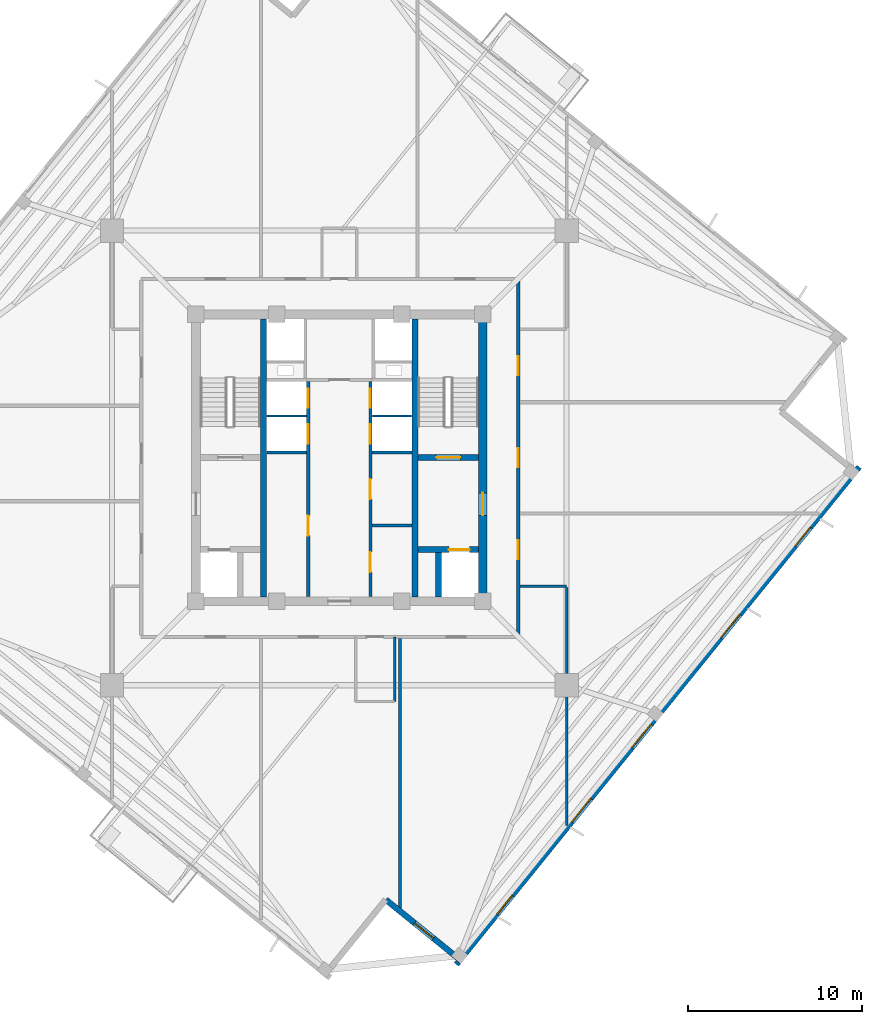
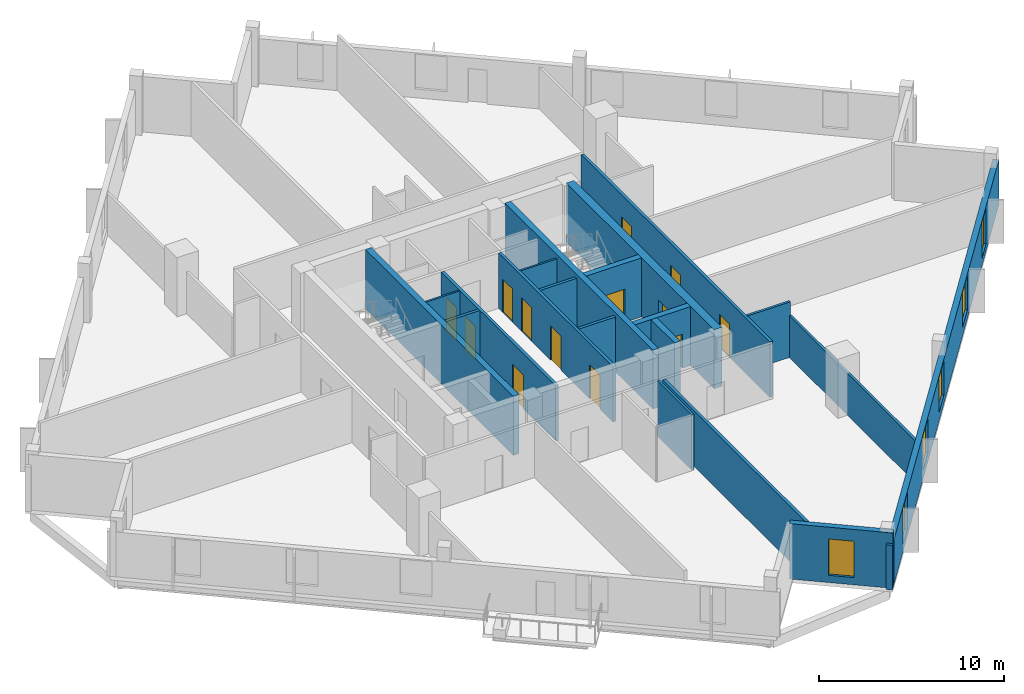
# One storey, part 4 of 10: 20 walls, 13 doors, 6 windows, 19 openings.
"""IFC4 building model written with IfcOpenShell, lengths in metres."""

import ifcopenshell
import ifcopenshell.guid

model = None  # the IFC model being written
_history = None  # IfcOwnerHistory: only IFC2X3 demands one
_inside = {}  # id of a spatial element -> (the spatial element, [elements in it])
_under = {}  # id of a project, library or spatial element -> (it, [spatial elements below it])
_declared = {}  # id of a project -> (the project, [libraries it declares])
_typed = {}  # id of a type object -> (the type object, [elements of that type])
_made_of = {}  # id of a material, layer set ... -> (it, [elements and type objects made of it])


def new_model(schema):
    """Start an empty IFC model of exactly this schema.

    Asked for "IFC4X3", IfcOpenShell would pick the latest addendum, in which some entities
    have other attributes; the version numbers below select the first issue.
    IFC2X3 requires an IfcOwnerHistory on every rooted entity: one is made here for all.
    """
    global model, _history
    if schema == "IFC4X3":
        model = ifcopenshell.file(schema_version=(4, 3, 0, 0))
    else:
        model = ifcopenshell.file(schema=schema)
    _inside.clear()
    _under.clear()
    _declared.clear()
    _typed.clear()
    _made_of.clear()
    _history = None
    if model.schema == "IFC2X3":
        org = make("IfcOrganization", Name="unknown")
        user = make(
            "IfcPersonAndOrganization",
            ThePerson=make("IfcPerson", FamilyName="unknown"),
            TheOrganization=org,
        )
        app = make(
            "IfcApplication",
            ApplicationDeveloper=org,
            Version="unknown",
            ApplicationFullName="unknown",
            ApplicationIdentifier="unknown",
        )
        _history = make(
            "IfcOwnerHistory",
            OwningUser=user,
            OwningApplication=app,
            ChangeAction="ADDED",
            CreationDate=0,
        )
    return model


def make(cls, **values):
    """One entity of the class cls with the attributes given. An attribute that is None is left unset."""
    return model.create_entity(
        cls, **{name: value for name, value in values.items() if value is not None}
    )


def rooted(cls, **values):
    """An entity with a GlobalId (a new one), such as an element, a storey or a relation."""
    return make(cls, GlobalId=ifcopenshell.guid.new(), OwnerHistory=_history, **values)


def si_unit(unit_type, name, prefix=None):
    """IfcSIUnit, for example si_unit("LENGTHUNIT", "METRE", prefix="MILLI")."""
    return make("IfcSIUnit", UnitType=unit_type, Prefix=prefix, Name=name)


def assignment(units):
    """IfcUnitAssignment: the units of a project."""
    return None if units is None else make("IfcUnitAssignment", Units=units)


def point(xyz):
    """IfcCartesianPoint."""
    return None if xyz is None else make("IfcCartesianPoint", Coordinates=xyz)


def direction(xyz):
    """IfcDirection."""
    return None if xyz is None else make("IfcDirection", DirectionRatios=xyz)


def frame(location, z_axis=None, x_axis=None):
    """IfcAxis2Placement3D, a coordinate frame: its origin and axes. An axis left out is left unset."""
    return make(
        "IfcAxis2Placement3D",
        Location=point(location),
        Axis=direction(z_axis),
        RefDirection=direction(x_axis),
    )


def frame_2d(location, x_axis=None):
    """IfcAxis2Placement2D, a coordinate frame in the plane: its origin and x axis."""
    return make(
        "IfcAxis2Placement2D", Location=point(location), RefDirection=direction(x_axis)
    )


def origin():
    """The frame at (0, 0, 0) with its axes left unset."""
    return frame((0.0, 0.0, 0.0))


def place(relative_to, where):
    """IfcLocalPlacement: puts the frame where relative to a parent placement (None: the world)."""
    return make(
        "IfcLocalPlacement", PlacementRelTo=relative_to, RelativePlacement=where
    )


def context(
    kind, dimensions, precision=None, world=None, true_north=None, identifier=None
):
    """IfcGeometricRepresentationContext, for example the 3D "Model" context."""
    return make(
        "IfcGeometricRepresentationContext",
        ContextIdentifier=identifier,
        ContextType=kind,
        CoordinateSpaceDimension=dimensions,
        Precision=precision,
        WorldCoordinateSystem=world,
        TrueNorth=true_north,
    )


def subcontext(parent, identifier, kind, view, scale=None):
    """IfcGeometricRepresentationSubContext, for example "Body" below "Model"."""
    return make(
        "IfcGeometricRepresentationSubContext",
        ContextIdentifier=identifier,
        ContextType=kind,
        ParentContext=parent,
        TargetScale=scale,
        TargetView=view,
    )


def project(units=None, contexts=None):
    """IfcProject with its units and contexts."""
    return rooted(
        "IfcProject",
        Name="project",
        RepresentationContexts=contexts,
        UnitsInContext=assignment(units),
    )


def spatial(cls, under=None, at=None, **own):
    """A site, building, storey or space (cls), placed at a placement, below another one or the project."""
    s = rooted(cls, ObjectPlacement=at, **own)
    if under is not None:
        _under.setdefault(under.id(), (under, []))[1].append(s)
    return s


def profile(cls, at=None, kind="AREA", **sizes):
    """A parametric profile (cls). Its sizes go by their IFC names, for example OverallWidth=200.0."""
    return make(cls, ProfileType=kind, Position=at, **sizes)


def rectangle(**sizes):
    """IfcRectangleProfileDef."""
    return profile("IfcRectangleProfileDef", **sizes)


def extrude(swept, where, along, depth):
    """IfcExtrudedAreaSolid: the profile swept, set in the frame where, extruded along a direction by depth."""
    return make(
        "IfcExtrudedAreaSolid",
        SweptArea=swept,
        Position=where,
        ExtrudedDirection=direction(along),
        Depth=depth,
    )


def shape(context_of_items, identifier, shape_type, items):
    """IfcShapeRepresentation: the items that make up one representation, for example the "Body"."""
    return make(
        "IfcShapeRepresentation",
        ContextOfItems=context_of_items,
        RepresentationIdentifier=identifier,
        RepresentationType=shape_type,
        Items=items,
    )


def source(mapping_origin, context_of_items, identifier, shape_type, items):
    """IfcRepresentationMap: a shape defined once, which mapped items show again and again."""
    return make(
        "IfcRepresentationMap",
        MappingOrigin=mapping_origin,
        MappedRepresentation=shape(context_of_items, identifier, shape_type, items),
    )


def transform(
    local_origin,
    x_axis=None,
    y_axis=None,
    z_axis=None,
    scale=None,
    scale2=None,
    scale3=None,
    uniform=True,
):
    """IfcCartesianTransformationOperator3D, or its non-uniform kind. x_axis, y_axis, z_axis: its Axis1, 2, 3."""
    if uniform:
        return make(
            "IfcCartesianTransformationOperator3D",
            Axis1=direction(x_axis),
            Axis2=direction(y_axis),
            LocalOrigin=point(local_origin),
            Scale=scale,
            Axis3=direction(z_axis),
        )
    return make(
        "IfcCartesianTransformationOperator3DnonUniform",
        Axis1=direction(x_axis),
        Axis2=direction(y_axis),
        LocalOrigin=point(local_origin),
        Scale=scale,
        Axis3=direction(z_axis),
        Scale2=scale2,
        Scale3=scale3,
    )


def mapped(mapping_source, mapping_target):
    """IfcMappedItem: shows the shape of a source again, moved by a transform."""
    return make(
        "IfcMappedItem", MappingSource=mapping_source, MappingTarget=mapping_target
    )


def material(Name=None, Category=None):
    """IfcMaterial."""
    return make("IfcMaterial", Name=Name, Category=Category)


def layer(
    of_material, thickness, ventilated=None, Name=None, Category=None, Priority=None
):
    """IfcMaterialLayer: one layer of a wall or slab, of a material (None: an air gap)."""
    return make(
        "IfcMaterialLayer",
        Material=of_material,
        LayerThickness=thickness,
        IsVentilated=ventilated,
        Name=Name,
        Category=Category,
        Priority=Priority,
    )


def layer_set(layers, Name=None):
    """IfcMaterialLayerSet."""
    return make("IfcMaterialLayerSet", MaterialLayers=layers, LayerSetName=Name)


def made_of(thing, what):
    """Note that an element or type object is made of a material, layer set ...; save() writes the relation."""
    if what is not None:
        _made_of.setdefault(what.id(), (what, []))[1].append(thing)
    return thing


def type_object(cls, material=None, **own):
    """A type object (cls), such as IfcWallType, which elements share."""
    return made_of(rooted(cls, **own), material)


def element(
    cls,
    number,
    at=None,
    inside=None,
    cuts=None,
    type_object=None,
    material=None,
    context=None,
    identifier="Body",
    shape_type=None,
    held_by="IfcProductDefinitionShape",
    body=None,
    shapes=None,
    **own,
):
    """One element of the class cls, such as IfcWall. Its Tag is "e" and its number.

    at: its placement. inside: the storey or other place that contains it. cuts: it is an
    opening in that element (IfcRelVoidsElement). A single representation is given by context,
    identifier, shape_type and body (its items); several are given by shapes. held_by: the class
    of the entity that holds the representations. save() writes the other relations.
    """
    e = rooted(cls, Tag="e%d" % number, ObjectPlacement=at, **own)
    if body is not None:
        shapes = [shape(context, identifier, shape_type, body)]
    if shapes is not None:
        e.Representation = make(held_by, Representations=shapes)
    if inside is not None:
        _inside.setdefault(inside.id(), (inside, []))[1].append(e)
    if cuts is not None:
        rooted(
            "IfcRelVoidsElement", RelatingBuildingElement=cuts, RelatedOpeningElement=e
        )
    if type_object is not None:
        _typed.setdefault(type_object.id(), (type_object, []))[1].append(e)
    return made_of(e, material)


def fill(opening, filler):
    """IfcRelFillsElement: the door or window that sits in an opening."""
    return rooted(
        "IfcRelFillsElement",
        RelatingOpeningElement=opening,
        RelatedBuildingElement=filler,
    )


def aggregate(whole, parts):
    """IfcRelAggregates: a whole, such as a stair, and the parts it consists of."""
    return rooted("IfcRelAggregates", RelatingObject=whole, RelatedObjects=parts)


def save(model, path):
    """Write the relations noted so far, then the file.

    IfcRelAggregates (storeys below a building ...), IfcRelContainedInSpatialStructure (elements
    in a storey), IfcRelDefinesByType, IfcRelAssociatesMaterial and IfcRelDeclares: one each for
    every whole, place, type object, material and project.
    """
    for whole, parts in _under.values():
        aggregate(whole, parts)
    for where, things in _inside.values():
        rooted(
            "IfcRelContainedInSpatialStructure",
            RelatedElements=things,
            RelatingStructure=where,
        )
    for kind, things in _typed.values():
        rooted("IfcRelDefinesByType", RelatedObjects=things, RelatingType=kind)
    for what, things in _made_of.values():
        rooted("IfcRelAssociatesMaterial", RelatedObjects=things, RelatingMaterial=what)
    for by, libraries in _declared.values():
        rooted("IfcRelDeclares", RelatingContext=by, RelatedDefinitions=libraries)
    model.write(path)


model = new_model("IFC4")

# Units and contexts
model_context = context("Model", 3, precision=1e-05, world=origin(), true_north=direction((0.0, 1.0)))
body_context = subcontext(model_context, "Body", "Model", "MODEL_VIEW")
ifc_project = project(units=[si_unit("LENGTHUNIT", "METRE"), si_unit("AREAUNIT", "SQUARE_METRE"), si_unit("VOLUMEUNIT", "CUBIC_METRE"), si_unit("PLANEANGLEUNIT", "RADIAN"), si_unit("MASSUNIT", "GRAM", prefix="KILO"), si_unit("THERMODYNAMICTEMPERATUREUNIT", "KELVIN")], contexts=[model_context])

# Site, building, storey
site_placement = place(None, origin())
site = spatial("IfcSite", under=ifc_project, at=site_placement, CompositionType="ELEMENT")
building_placement = place(site_placement, origin())
building = spatial("IfcBuilding", under=site, at=building_placement, Name="Kosmvard Interchange Tower", CompositionType="ELEMENT")
storey_placement = place(building_placement, frame((0.0, 0.0, 240.699951171875)))
storey = spatial("IfcBuildingStorey", under=building, at=storey_placement, Name="L58", CompositionType="ELEMENT", Elevation=240.699951171875)

# Walls
ifc_material_1 = material(Name="Acoustic gypsum partition system")
ifc_layer_1 = layer(ifc_material_1, 0.14990234375, Name="Acoustic gypsum partition system")
ifc_layer_set_1 = layer_set([ifc_layer_1], Name="Acoustic gypsum partition system")
wall_type_1 = type_object("IfcWallType", Name="Acoustic Suite & Meeting Partition 150", PredefinedType="PARTITIONING", material=ifc_layer_set_1)
wall_1_placement = place(storey_placement, frame((10.39501953125, -7.39990234375, 0.0), z_axis=(0.0, 0.0, 1.0), x_axis=(1.0, 0.0, 0.0)))
element("IfcWall", 1, at=wall_1_placement, inside=storey, type_object=wall_type_1, Name="L58 Room Partition 13.1", PredefinedType="PARTITIONING", context=body_context, shape_type="SweptSolid", body=[
    extrude(rectangle(XDim=2.68603515625, YDim=0.14990234375, at=frame_2d((1.343017578125, 0.0))), origin(), (0.0, 0.0, 1.0), 3.66015625),
])
wall_2_placement = place(storey_placement, frame((13.0810546875, -7.47509765625, 0.0), z_axis=(0.0, 0.0, 1.0), x_axis=(0.0, -1.0, 0.0)))
element("IfcWall", 2, at=wall_2_placement, inside=storey, type_object=wall_type_1, Name="L58 Room Partition 14.1", PredefinedType="PARTITIONING", context=body_context, shape_type="SweptSolid", body=[
    extrude(rectangle(XDim=13.67333984375, YDim=0.14990234375, at=frame_2d((6.836669921875, 0.0))), origin(), (0.0, 0.0, 1.0), 2.760009765625),
])

# Wall, openings, doors
ifc_material_2 = material(Name="Fire-rated gypsum partition system")
ifc_layer_2 = layer(ifc_material_2, 0.179931640625, Name="Fire-rated gypsum partition system")
ifc_layer_set_2 = layer_set([ifc_layer_2], Name="Fire-rated gypsum partition system")
wall_type_2 = type_object("IfcWallType", Name="Corridor & Hotel Compartment Partition 180", PredefinedType="PARTITIONING", material=ifc_layer_set_2)
wall_3_placement = place(storey_placement, frame((-1.7900390625, -7.97998046875, 0.0), z_axis=(0.0, 0.0, 1.0), x_axis=(0.0, 1.0, 0.0)))
wall_3 = element("IfcWall", 3, at=wall_3_placement, inside=storey, type_object=wall_type_2, Name="L58 West Lift Bank Front Wall", PredefinedType="PARTITIONING", context=body_context, shape_type="SweptSolid", body=[
    extrude(rectangle(XDim=12.3798828125, YDim=0.179931640625, at=frame_2d((6.18994140625, 0.0))), origin(), (0.0, 0.0, 1.0), 3.66015625),
])
opening_1_placement = place(wall_3_placement, frame((8.800048828125, 0.0, 0.0)))
opening_1 = element("IfcOpeningElement", 4, at=opening_1_placement, cuts=wall_3, Name="Opening LD-PL-H1-L58", PredefinedType="OPENING", context=body_context, shape_type="SweptSolid", body=[
    extrude(rectangle(XDim=1.10009765625, YDim=2.199951171875, at=frame_2d((0.550048828125, 1.10009765625))), frame((0.0, 0.10009765625, 0.0), z_axis=(0.0, -1.0, 0.0), x_axis=(1.0, 0.0, 0.0)), (0.0, 0.0, 1.0), 0.199951171875),
])
opening_2_placement = place(wall_3_placement, frame((10.860107421875, 0.0, 0.0)))
opening_2 = element("IfcOpeningElement", 5, at=opening_2_placement, cuts=wall_3, Name="Opening LD-PL-H2-L58", PredefinedType="OPENING", context=body_context, shape_type="SweptSolid", body=[
    extrude(rectangle(XDim=1.10009765625, YDim=2.199951171875, at=frame_2d((0.550048828125, 1.10009765625))), frame((0.0, 0.10009765625, 0.0), z_axis=(0.0, -1.0, 0.0), x_axis=(1.0, 0.0, 0.0)), (0.0, 0.0, 1.0), 0.199951171875),
])
opening_3_placement = place(wall_3_placement, frame((3.5, 0.0, 0.0)))
opening_3 = element("IfcOpeningElement", 6, at=opening_3_placement, cuts=wall_3, Name="Opening L58-CD1", PredefinedType="OPENING", context=body_context, shape_type="SweptSolid", body=[
    extrude(rectangle(XDim=1.14990234375, YDim=2.25, at=frame_2d((0.574951171875, 1.125))), frame((0.0, 0.10009765625, 0.0), z_axis=(0.0, -1.0, 0.0), x_axis=(1.0, 0.0, 0.0)), (0.0, 0.0, 1.0), 0.199951171875),
])
ifc_material_3 = material(Name="Painted fire-rated steel leaf", Category="steel")
door_type_1 = type_object("IfcDoorType", Name="Plant & Riser Fire Door 1150x2250 EI60", OperationType="NOTDEFINED", PredefinedType="DOOR", material=ifc_material_3)
shared_shape_1 = source(origin(), body_context, "Body", "SweptSolid", [
    extrude(rectangle(XDim=1.14990234375, YDim=2.25, at=frame_2d((0.574951171875, 1.125))), frame((0.0, 0.02490234375, 0.0), z_axis=(0.0, -1.0, 0.0), x_axis=(1.0, 0.0, 0.0)), (0.0, 0.0, 1.0), 0.050048828125),
])
door_1_placement = place(opening_3_placement, origin())
door_1 = element("IfcDoor", 7, at=door_1_placement, inside=storey, type_object=door_type_1, Name="L58 Core West Store Door", OperationType="SINGLE_SWING_LEFT", OverallHeight=2.25, OverallWidth=1.14990234375, PredefinedType="DOOR", context=body_context, shape_type="MappedRepresentation", body=[
    mapped(shared_shape_1, transform((0.0, 0.0, 0.0), scale=1.0)),
])
fill(opening_3, door_1)
ifc_material_4 = material(Name="Brushed stainless steel sliding leaf", Category="steel")
door_type_2 = type_object("IfcDoorType", Name="Passenger Lift Sliding Landing Door 1100x2200 EI60", OperationType="DOUBLE_DOOR_SLIDING", PredefinedType="DOOR", material=ifc_material_4)
shared_shape_2 = source(origin(), body_context, "Body", "SweptSolid", [
    extrude(rectangle(XDim=1.10009765625, YDim=2.199951171875, at=frame_2d((0.550048828125, 1.10009765625))), frame((0.0, 0.02490234375, 0.0), z_axis=(0.0, -1.0, 0.0), x_axis=(1.0, 0.0, 0.0)), (0.0, 0.0, 1.0), 0.050048828125),
])
door_2_placement = place(opening_1_placement, frame((1.10009765625, 0.0, 0.0), z_axis=(0.0, 0.0, 1.0), x_axis=(-1.0, 0.0, 0.0)))
door_2 = element("IfcDoor", 8, at=door_2_placement, inside=storey, type_object=door_type_2, Name="Lift PL-H1 Landing Door L58", OperationType="DOUBLE_DOOR_SLIDING", OverallHeight=2.199951171875, OverallWidth=1.10009765625, PredefinedType="DOOR", context=body_context, shape_type="MappedRepresentation", body=[
    mapped(shared_shape_2, transform((0.0, 0.0, 0.0), scale=1.0)),
])
fill(opening_1, door_2)
door_3_placement = place(opening_2_placement, frame((1.10009765625, 0.0, 0.0), z_axis=(0.0, 0.0, 1.0), x_axis=(-1.0, 0.0, 0.0)))
door_3 = element("IfcDoor", 9, at=door_3_placement, inside=storey, type_object=door_type_2, Name="Lift PL-H2 Landing Door L58", OperationType="DOUBLE_DOOR_SLIDING", OverallHeight=2.199951171875, OverallWidth=1.10009765625, PredefinedType="DOOR", context=body_context, shape_type="MappedRepresentation", body=[
    mapped(shared_shape_2, transform((0.0, 0.0, 0.0), scale=1.0)),
])
fill(opening_2, door_3)

wall_4_placement = place(storey_placement, frame((1.7900390625, -7.97998046875, 0.0), z_axis=(0.0, 0.0, 1.0), x_axis=(0.0, 1.0, 0.0)))
wall_4 = element("IfcWall", 10, at=wall_4_placement, inside=storey, type_object=wall_type_2, Name="L58 East Lift Bank Front Wall", PredefinedType="PARTITIONING", context=body_context, shape_type="SweptSolid", body=[
    extrude(rectangle(XDim=12.3798828125, YDim=0.179931640625, at=frame_2d((6.18994140625, 0.0))), origin(), (0.0, 0.0, 1.0), 3.66015625),
])
opening_4_placement = place(wall_4_placement, frame((8.800048828125, 0.0, 0.0)))
opening_4 = element("IfcOpeningElement", 11, at=opening_4_placement, cuts=wall_4, Name="Opening LD-PL-H3-L58", PredefinedType="OPENING", context=body_context, shape_type="SweptSolid", body=[
    extrude(rectangle(XDim=1.10009765625, YDim=2.199951171875, at=frame_2d((0.550048828125, 1.10009765625))), frame((0.0, 0.10009765625, 0.0), z_axis=(0.0, -1.0, 0.0), x_axis=(1.0, 0.0, 0.0)), (0.0, 0.0, 1.0), 0.199951171875),
])
opening_5_placement = place(wall_4_placement, frame((10.860107421875, 0.0, 0.0)))
opening_5 = element("IfcOpeningElement", 12, at=opening_5_placement, cuts=wall_4, Name="Opening LD-PL-H4-L58", PredefinedType="OPENING", context=body_context, shape_type="SweptSolid", body=[
    extrude(rectangle(XDim=1.10009765625, YDim=2.199951171875, at=frame_2d((0.550048828125, 1.10009765625))), frame((0.0, 0.10009765625, 0.0), z_axis=(0.0, -1.0, 0.0), x_axis=(1.0, 0.0, 0.0)), (0.0, 0.0, 1.0), 0.199951171875),
])
opening_6_placement = place(wall_4_placement, frame((1.39990234375, 0.0, 0.0)))
opening_6 = element("IfcOpeningElement", 13, at=opening_6_placement, cuts=wall_4, Name="Opening L58-CD2", PredefinedType="OPENING", context=body_context, shape_type="SweptSolid", body=[
    extrude(rectangle(XDim=1.14990234375, YDim=2.25, at=frame_2d((0.574951171875, 1.125))), frame((0.0, 0.10009765625, 0.0), z_axis=(0.0, -1.0, 0.0), x_axis=(1.0, 0.0, 0.0)), (0.0, 0.0, 1.0), 0.199951171875),
])
opening_7_placement = place(wall_4_placement, frame((5.60009765625, 0.0, 0.0)))
opening_7 = element("IfcOpeningElement", 14, at=opening_7_placement, cuts=wall_4, Name="Opening L58-CD3", PredefinedType="OPENING", context=body_context, shape_type="SweptSolid", body=[
    extrude(rectangle(XDim=1.14990234375, YDim=2.25, at=frame_2d((0.574951171875, 1.125))), frame((0.0, 0.10009765625, 0.0), z_axis=(0.0, -1.0, 0.0), x_axis=(1.0, 0.0, 0.0)), (0.0, 0.0, 1.0), 0.199951171875),
])
door_4_placement = place(opening_6_placement, frame((1.14990234375, 0.0, 0.0), z_axis=(0.0, 0.0, 1.0), x_axis=(-1.0, 0.0, 0.0)))
door_4 = element("IfcDoor", 15, at=door_4_placement, inside=storey, type_object=door_type_1, Name="L58 Core Tea Pantry Door", OperationType="SINGLE_SWING_LEFT", OverallHeight=2.25, OverallWidth=1.14990234375, PredefinedType="DOOR", context=body_context, shape_type="MappedRepresentation", body=[
    mapped(shared_shape_1, transform((0.0, 0.0, 0.0), scale=1.0)),
])
fill(opening_6, door_4)
door_5_placement = place(opening_7_placement, frame((1.14990234375, 0.0, 0.0), z_axis=(0.0, 0.0, 1.0), x_axis=(-1.0, 0.0, 0.0)))
door_5 = element("IfcDoor", 16, at=door_5_placement, inside=storey, type_object=door_type_1, Name="L58 Mid Core Pantry Door", OperationType="SINGLE_SWING_RIGHT", OverallHeight=2.25, OverallWidth=1.14990234375, PredefinedType="DOOR", context=body_context, shape_type="MappedRepresentation", body=[
    mapped(shared_shape_1, transform((0.0, 0.0, 0.0), scale=1.0)),
])
fill(opening_7, door_5)
door_6_placement = place(opening_4_placement, origin())
door_6 = element("IfcDoor", 17, at=door_6_placement, inside=storey, type_object=door_type_2, Name="Lift PL-H3 Landing Door L58", OperationType="DOUBLE_DOOR_SLIDING", OverallHeight=2.199951171875, OverallWidth=1.10009765625, PredefinedType="DOOR", context=body_context, shape_type="MappedRepresentation", body=[
    mapped(shared_shape_2, transform((0.0, 0.0, 0.0), scale=1.0)),
])
fill(opening_4, door_6)
door_7_placement = place(opening_5_placement, origin())
door_7 = element("IfcDoor", 18, at=door_7_placement, inside=storey, type_object=door_type_2, Name="Lift PL-H4 Landing Door L58", OperationType="DOUBLE_DOOR_SLIDING", OverallHeight=2.199951171875, OverallWidth=1.10009765625, PredefinedType="DOOR", context=body_context, shape_type="MappedRepresentation", body=[
    mapped(shared_shape_2, transform((0.0, 0.0, 0.0), scale=1.0)),
])
fill(opening_5, door_7)

wall_5_placement = place(storey_placement, frame((10.300048828125, -10.199951171875, 0.0), z_axis=(0.0, 0.0, 1.0), x_axis=(0.0, 1.0, 0.0)))
wall_5 = element("IfcWall", 19, at=wall_5_placement, inside=storey, type_object=wall_type_2, Name="L58 Corridor Wall CE", PredefinedType="PARTITIONING", context=body_context, shape_type="SweptSolid", body=[
    extrude(rectangle(XDim=20.39990234375, YDim=0.179931640625, at=frame_2d((10.199951171875, 0.0))), origin(), (0.0, 0.0, 1.0), 3.66015625),
])
opening_8_placement = place(wall_5_placement, frame((14.949951171875, 0.0, 0.0)))
opening_8 = element("IfcOpeningElement", 20, at=opening_8_placement, cuts=wall_5, Name="Opening L58-D07", PredefinedType="OPENING", context=body_context, shape_type="SweptSolid", body=[
    extrude(rectangle(XDim=1.10009765625, YDim=2.199951171875, at=frame_2d((0.550048828125, 1.10009765625))), frame((0.0, 0.10009765625, 0.0), z_axis=(0.0, -1.0, 0.0), x_axis=(1.0, 0.0, 0.0)), (0.0, 0.0, 1.0), 0.199951171875),
])
opening_9_placement = place(wall_5_placement, frame((9.64990234375, 0.0, 0.0)))
opening_9 = element("IfcOpeningElement", 21, at=opening_9_placement, cuts=wall_5, Name="Opening L58-D08", PredefinedType="OPENING", context=body_context, shape_type="SweptSolid", body=[
    extrude(rectangle(XDim=1.10009765625, YDim=2.199951171875, at=frame_2d((0.550048828125, 1.10009765625))), frame((0.0, 0.10009765625, 0.0), z_axis=(0.0, -1.0, 0.0), x_axis=(1.0, 0.0, 0.0)), (0.0, 0.0, 1.0), 0.199951171875),
])
opening_10_placement = place(wall_5_placement, frame((4.35009765625, 0.0, 0.0)))
opening_10 = element("IfcOpeningElement", 22, at=opening_10_placement, cuts=wall_5, Name="Opening L58-D09", PredefinedType="OPENING", context=body_context, shape_type="SweptSolid", body=[
    extrude(rectangle(XDim=1.10009765625, YDim=2.199951171875, at=frame_2d((0.550048828125, 1.10009765625))), frame((0.0, 0.10009765625, 0.0), z_axis=(0.0, -1.0, 0.0), x_axis=(1.0, 0.0, 0.0)), (0.0, 0.0, 1.0), 0.199951171875),
])
ifc_material_5 = material(Name="Engineered oak fire-rated timber", Category="wood")
door_type_3 = type_object("IfcDoorType", Name="Office Suite Entrance Door 1100x2200 FD30S", OperationType="NOTDEFINED", PredefinedType="DOOR", material=ifc_material_5)
door_8_placement = place(opening_8_placement, frame((1.10009765625, 0.0, 0.0), z_axis=(0.0, 0.0, 1.0), x_axis=(-1.0, 0.0, 0.0)))
door_8 = element("IfcDoor", 23, at=door_8_placement, inside=storey, type_object=door_type_3, Name="L58 East Executive Office 4 Door", OperationType="SINGLE_SWING_LEFT", OverallHeight=2.199951171875, OverallWidth=1.10009765625, PredefinedType="DOOR", context=body_context, shape_type="MappedRepresentation", body=[
    mapped(shared_shape_2, transform((0.0, 0.0, 0.0), scale=1.0)),
])
fill(opening_8, door_8)
door_9_placement = place(opening_9_placement, frame((1.10009765625, 0.0, 0.0), z_axis=(0.0, 0.0, 1.0), x_axis=(-1.0, 0.0, 0.0)))
door_9 = element("IfcDoor", 24, at=door_9_placement, inside=storey, type_object=door_type_3, Name="L58 South-East Corner Office Door", OperationType="SINGLE_SWING_RIGHT", OverallHeight=2.199951171875, OverallWidth=1.10009765625, PredefinedType="DOOR", context=body_context, shape_type="MappedRepresentation", body=[
    mapped(shared_shape_2, transform((0.0, 0.0, 0.0), scale=1.0)),
])
fill(opening_9, door_9)
door_10_placement = place(opening_10_placement, frame((1.10009765625, 0.0, 0.0), z_axis=(0.0, 0.0, 1.0), x_axis=(-1.0, 0.0, 0.0)))
door_10 = element("IfcDoor", 25, at=door_10_placement, inside=storey, type_object=door_type_3, Name="L58 South Conference Room 2 Door", OperationType="SINGLE_SWING_LEFT", OverallHeight=2.199951171875, OverallWidth=1.10009765625, PredefinedType="DOOR", context=body_context, shape_type="MappedRepresentation", body=[
    mapped(shared_shape_2, transform((0.0, 0.0, 0.0), scale=1.0)),
])
fill(opening_10, door_10)

# Wall
wall_6_placement = place(storey_placement, frame((3.5, -10.39501953125, 0.0), z_axis=(0.0, 0.0, 1.0), x_axis=(0.0, -1.0, 0.0)))
element("IfcWall", 26, at=wall_6_placement, inside=storey, type_object=wall_type_2, Name="L58 Room Partition 05.1", PredefinedType="PARTITIONING", context=body_context, shape_type="SweptSolid", body=[
    extrude(rectangle(XDim=15.56884765625, YDim=0.179931640625, at=frame_2d((7.784423828125, 0.0))), origin(), (0.0, 0.0, 1.0), 3.66015625),
])

# Wall, openings, windows
ifc_material_6 = material(Name="Precast concrete C45/55", Category="concrete")
ifc_layer_3 = layer(ifc_material_6, 0.340087890625, Name="Precast concrete C45/55")
ifc_layer_set_3 = layer_set([ifc_layer_3], Name="Precast concrete C45/55")
wall_type_3 = type_object("IfcWallType", Name="Mid Tower Precast Pier Wall 340 C45/55", PredefinedType="STANDARD", material=ifc_layer_set_3)
wall_7_placement = place(storey_placement, frame((6.73291015625, -29.154296875, 0.0), z_axis=(0.0, 0.0, 1.0), x_axis=(0.629325378072, 0.77714192302, 0.0)))
wall_7 = element("IfcWall", 27, at=wall_7_placement, inside=storey, type_object=wall_type_3, Name="L58 Precast Facade Wall F-S", PredefinedType="STANDARD", context=body_context, shape_type="SweptSolid", body=[
    extrude(rectangle(XDim=36.840087890625, YDim=0.340087890625, at=frame_2d((18.419921875, 0.0))), origin(), (0.0, 0.0, 1.0), 2.9599609375),
])
opening_11_placement = place(wall_7_placement, frame((3.720703125, 0.0, 0.47998046875)))
opening_11 = element("IfcOpeningElement", 28, at=opening_11_placement, cuts=wall_7, Name="Opening L58-W01", PredefinedType="OPENING", context=body_context, shape_type="SweptSolid", body=[
    extrude(rectangle(XDim=1.39990234375, YDim=2.39990234375, at=frame_2d((0.699951171875, 1.199951171875))), frame((0.0, 0.18017578125, 0.0), z_axis=(0.0, -1.0, 0.0), x_axis=(1.0, 0.0, 0.0)), (0.0, 0.0, 1.0), 0.360107421875),
])
opening_12_placement = place(wall_7_placement, frame((10.55859375, 0.0, 0.580078125)))
opening_12 = element("IfcOpeningElement", 29, at=opening_12_placement, cuts=wall_7, Name="Opening L58-W02", PredefinedType="OPENING", context=body_context, shape_type="SweptSolid", body=[
    extrude(rectangle(XDim=1.75, YDim=2.300048828125, at=frame_2d((0.875, 1.14990234375))), frame((0.0, 0.18017578125, 0.0), z_axis=(0.0, -1.0, 0.0), x_axis=(1.0, 0.0, 0.0)), (0.0, 0.0, 1.0), 0.360107421875),
])
opening_13_placement = place(wall_7_placement, frame((16.05810546875, 0.0, 0.580078125)))
opening_13 = element("IfcOpeningElement", 30, at=opening_13_placement, cuts=wall_7, Name="Opening L58-W03", PredefinedType="OPENING", context=body_context, shape_type="SweptSolid", body=[
    extrude(rectangle(XDim=1.75, YDim=2.300048828125, at=frame_2d((0.875, 1.14990234375))), frame((0.0, 0.18017578125, 0.0), z_axis=(0.0, -1.0, 0.0), x_axis=(1.0, 0.0, 0.0)), (0.0, 0.0, 1.0), 0.360107421875),
])
opening_14_placement = place(wall_7_placement, frame((24.17626953125, 0.0, 0.580078125)))
opening_14 = element("IfcOpeningElement", 31, at=opening_14_placement, cuts=wall_7, Name="Opening L58-W04", PredefinedType="OPENING", context=body_context, shape_type="SweptSolid", body=[
    extrude(rectangle(XDim=1.75, YDim=2.300048828125, at=frame_2d((0.875, 1.14990234375))), frame((0.0, 0.18017578125, 0.0), z_axis=(0.0, -1.0, 0.0), x_axis=(1.0, 0.0, 0.0)), (0.0, 0.0, 1.0), 0.360107421875),
])
opening_15_placement = place(wall_7_placement, frame((30.982421875, 0.0, 0.47998046875)))
opening_15 = element("IfcOpeningElement", 32, at=opening_15_placement, cuts=wall_7, Name="Opening L58-W05", PredefinedType="OPENING", context=body_context, shape_type="SweptSolid", body=[
    extrude(rectangle(XDim=1.39990234375, YDim=2.39990234375, at=frame_2d((0.699951171875, 1.199951171875))), frame((0.0, 0.18017578125, 0.0), z_axis=(0.0, -1.0, 0.0), x_axis=(1.0, 0.0, 0.0)), (0.0, 0.0, 1.0), 0.360107421875),
])
ifc_material_7 = material(Name="Low-E solar-control double glazing", Category="glass")
window_type_1 = type_object("IfcWindowType", Name="Notched Corner Feature Window 1400x2400", PartitioningType="SINGLE_PANEL", PredefinedType="WINDOW", material=ifc_material_7)
shared_shape_3 = source(origin(), body_context, "Body", "SweptSolid", [
    extrude(rectangle(XDim=1.39990234375, YDim=2.39990234375, at=frame_2d((0.699951171875, 1.199951171875))), frame((0.0, 0.030029296875, 0.0), z_axis=(0.0, -1.0, 0.0), x_axis=(1.0, 0.0, 0.0)), (0.0, 0.0, 1.0), 0.06005859375),
])
window_1_placement = place(opening_11_placement, origin())
window_1 = element("IfcWindow", 33, at=window_1_placement, inside=storey, type_object=window_type_1, Name="L58 Facade Punched Window 01", OverallHeight=2.39990234375, OverallWidth=1.39990234375, PartitioningType="SINGLE_PANEL", PredefinedType="WINDOW", context=body_context, shape_type="MappedRepresentation", body=[
    mapped(shared_shape_3, transform((0.0, 0.0, 0.0), scale=1.0)),
])
fill(opening_11, window_1)
window_2_placement = place(opening_15_placement, origin())
window_2 = element("IfcWindow", 34, at=window_2_placement, inside=storey, type_object=window_type_1, Name="L58 Facade Punched Window 05", OverallHeight=2.39990234375, OverallWidth=1.39990234375, PartitioningType="SINGLE_PANEL", PredefinedType="WINDOW", context=body_context, shape_type="MappedRepresentation", body=[
    mapped(shared_shape_3, transform((0.0, 0.0, 0.0), scale=1.0)),
])
fill(opening_15, window_2)
window_type_2 = type_object("IfcWindowType", Name="Zone 4 Suite Punched Window 1750x2300", PartitioningType="SINGLE_PANEL", PredefinedType="WINDOW", material=ifc_material_7)
shared_shape_4 = source(origin(), body_context, "Body", "SweptSolid", [
    extrude(rectangle(XDim=1.75, YDim=2.300048828125, at=frame_2d((0.875, 1.14990234375))), frame((0.0, 0.030029296875, 0.0), z_axis=(0.0, -1.0, 0.0), x_axis=(1.0, 0.0, 0.0)), (0.0, 0.0, 1.0), 0.06005859375),
])
window_3_placement = place(opening_12_placement, origin())
window_3 = element("IfcWindow", 35, at=window_3_placement, inside=storey, type_object=window_type_2, Name="L58 Facade Punched Window 02", OverallHeight=2.300048828125, OverallWidth=1.75, PartitioningType="SINGLE_PANEL", PredefinedType="WINDOW", context=body_context, shape_type="MappedRepresentation", body=[
    mapped(shared_shape_4, transform((0.0, 0.0, 0.0), scale=1.0)),
])
fill(opening_12, window_3)
window_4_placement = place(opening_13_placement, origin())
window_4 = element("IfcWindow", 36, at=window_4_placement, inside=storey, type_object=window_type_2, Name="L58 Facade Punched Window 03", OverallHeight=2.300048828125, OverallWidth=1.75, PartitioningType="SINGLE_PANEL", PredefinedType="WINDOW", context=body_context, shape_type="MappedRepresentation", body=[
    mapped(shared_shape_4, transform((0.0, 0.0, 0.0), scale=1.0)),
])
fill(opening_13, window_4)
window_5_placement = place(opening_14_placement, origin())
window_5 = element("IfcWindow", 37, at=window_5_placement, inside=storey, type_object=window_type_2, Name="L58 Facade Punched Window 04", OverallHeight=2.300048828125, OverallWidth=1.75, PartitioningType="SINGLE_PANEL", PredefinedType="WINDOW", context=body_context, shape_type="MappedRepresentation", body=[
    mapped(shared_shape_4, transform((0.0, 0.0, 0.0), scale=1.0)),
])
fill(opening_14, window_5)

# Wall, opening, window
wall_8_placement = place(storey_placement, frame((2.672607421875, -25.428955078125, 0.0), z_axis=(0.0, 0.0, 1.0), x_axis=(0.777162640055, -0.629299794138, 0.0)))
wall_8 = element("IfcWall", 38, at=wall_8_placement, inside=storey, type_object=wall_type_3, Name="L58 Precast Facade Wall N-SW2", PredefinedType="STANDARD", context=body_context, shape_type="SweptSolid", body=[
    extrude(rectangle(XDim=5.669921875, YDim=0.340087890625, at=frame_2d((2.8349609375, 0.0))), origin(), (0.0, 0.0, 1.0), 3.66015625),
])
opening_16_placement = place(wall_8_placement, frame((2.135009765625, 0.0, 0.47998046875)))
opening_16 = element("IfcOpeningElement", 39, at=opening_16_placement, cuts=wall_8, Name="Opening L58-W23", PredefinedType="OPENING", context=body_context, shape_type="SweptSolid", body=[
    extrude(rectangle(XDim=1.39990234375, YDim=2.39990234375, at=frame_2d((0.699951171875, 1.199951171875))), frame((0.0, 0.18017578125, 0.0), z_axis=(0.0, -1.0, 0.0), x_axis=(1.0, 0.0, 0.0)), (0.0, 0.0, 1.0), 0.360107421875),
])
window_6_placement = place(opening_16_placement, origin())
window_6 = element("IfcWindow", 40, at=window_6_placement, inside=storey, type_object=window_type_1, Name="L58 Corner Notch Window 23", OverallHeight=2.39990234375, OverallWidth=1.39990234375, PartitioningType="SINGLE_PANEL", PredefinedType="WINDOW", context=body_context, shape_type="MappedRepresentation", body=[
    mapped(shared_shape_3, transform((0.0, 0.0, 0.0), scale=1.0)),
])
fill(opening_16, window_6)

# Walls
ifc_material_8 = material(Name="Concrete blockwork masonry", Category="masonry")
ifc_layer_4 = layer(ifc_material_8, 0.179931640625, Name="Concrete blockwork masonry")
ifc_layer_set_4 = layer_set([ifc_layer_4], Name="Concrete blockwork masonry")
wall_type_4 = type_object("IfcWallType", Name="Riser & Lift Bank Divider Wall 180", PredefinedType="PARTITIONING", material=ifc_layer_set_4)
for number, where, z_axis, x_axis, name in (
    (41, (1.889892578125, -3.89990234375, 0.0), (0.0, 0.0, 1.0), (1.0, 0.0, 0.0), "L58 East Bank Divider BD1"),
    (42, (-4.169921875, 0.300048828125, 0.0), (0.0, 0.0, 1.0), (1.0, 0.0, 0.0), "L58 West Bank Divider BD2"),
    (43, (1.889892578125, 0.300048828125, 0.0), (0.0, 0.0, 1.0), (1.0, 0.0, 0.0), "L58 East Bank Divider BD2"),
):
    element("IfcWall", number, at=place(storey_placement, frame(where, z_axis=z_axis, x_axis=x_axis)), inside=storey, type_object=wall_type_4, Name=name, PredefinedType="PARTITIONING", context=body_context, shape_type="SweptSolid", body=[
        extrude(rectangle(XDim=2.280029296875, YDim=0.179931640625, at=frame_2d((1.14013671875, 0.0))), origin(), (0.0, 0.0, 1.0), 3.66015625),
    ])
ifc_material_9 = material(Name="Fire-rated gypsum shaftwall system")
ifc_layer_5 = layer(ifc_material_9, 0.1201171875, Name="Fire-rated gypsum shaftwall system")
ifc_layer_set_5 = layer_set([ifc_layer_5], Name="Fire-rated gypsum shaftwall system")
wall_type_5 = type_object("IfcWallType", Name="Shaft & Riser Fire Partition 120 EI60", PredefinedType="PARTITIONING", material=ifc_layer_set_5)
for number, where, z_axis, x_axis, name in (
    (44, (-4.159912109375, 2.39990234375, 0.0), (0.0, 0.0, 1.0), (1.0, 0.0, 0.0), "L58 Shaft Divider PL-H1"),
    (45, (1.89990234375, 2.39990234375, 0.0), (0.0, 0.0, 1.0), (1.0, 0.0, 0.0), "L58 Shaft Divider PL-H3"),
):
    element("IfcWall", number, at=place(storey_placement, frame(where, z_axis=z_axis, x_axis=x_axis)), inside=storey, type_object=wall_type_5, Name=name, PredefinedType="PARTITIONING", context=body_context, shape_type="SweptSolid", body=[
        extrude(rectangle(XDim=2.260009765625, YDim=0.1201171875, at=frame_2d((1.1298828125, 0.0))), origin(), (0.0, 0.0, 1.0), 3.66015625),
    ])
ifc_material_10 = material(Name="Concrete C60/75", Category="concrete")
ifc_layer_6 = layer(ifc_material_10, 0.360107421875, Name="Concrete C60/75")
ifc_layer_set_6 = layer_set([ifc_layer_6], Name="Concrete C60/75")
wall_type_6 = type_object("IfcWallType", Name="Stair & Lift Shaft Shear Wall 360 C60/75", PredefinedType="SHEAR", material=ifc_layer_set_6)
for number, where, z_axis, x_axis, name in (
    (46, (-4.360107421875, -8.0, 0.0), (0.0, 0.0, 1.0), (0.0, 1.0, 0.0), "L58 Shaft Shear Wall SW-W"),
    (47, (4.360107421875, -8.0, 0.0), (0.0, 0.0, 1.0), (0.0, 1.0, 0.0), "L58 Shaft Shear Wall SW-E"),
):
    element("IfcWall", number, at=place(storey_placement, frame(where, z_axis=z_axis, x_axis=x_axis)), inside=storey, type_object=wall_type_6, Name=name, PredefinedType="SHEAR", context=body_context, shape_type="SweptSolid", body=[
        extrude(rectangle(XDim=16.0, YDim=0.360107421875, at=frame_2d((8.0, 0.0))), origin(), (0.0, 0.0, 1.0), 3.900146484375),
    ])

# Wall, opening, door
wall_9_placement = place(storey_placement, frame((4.5400390625, 0.02001953125, 0.0), z_axis=(0.0, 0.0, 1.0), x_axis=(1.0, 0.0, 0.0)))
wall_9 = element("IfcWall", 48, at=wall_9_placement, inside=storey, type_object=wall_type_6, Name="L58 Shaft Shear Wall SW-ST2", PredefinedType="SHEAR", context=body_context, shape_type="SweptSolid", body=[
    extrude(rectangle(XDim=3.4599609375, YDim=0.360107421875, at=frame_2d((1.72998046875, 0.0))), origin(), (0.0, 0.0, 1.0), 3.900146484375),
])
opening_17_placement = place(wall_9_placement, frame((1.030029296875, 0.0, 0.0)))
opening_17 = element("IfcOpeningElement", 49, at=opening_17_placement, cuts=wall_9, Name="Opening L58-SD2", PredefinedType="OPENING", context=body_context, shape_type="SweptSolid", body=[
    extrude(rectangle(XDim=1.39990234375, YDim=2.199951171875, at=frame_2d((0.699951171875, 1.10009765625))), frame((0.0, 0.18994140625, 0.0), z_axis=(0.0, -1.0, 0.0), x_axis=(1.0, 0.0, 0.0)), (0.0, 0.0, 1.0), 0.380126953125),
])
door_type_4 = type_object("IfcDoorType", Name="Protected Stair Door 1400x2200 FD60S", OperationType="NOTDEFINED", PredefinedType="DOOR", material=ifc_material_3)
shared_shape_5 = source(origin(), body_context, "Body", "SweptSolid", [
    extrude(rectangle(XDim=1.39990234375, YDim=2.199951171875, at=frame_2d((0.699951171875, 1.10009765625))), frame((0.0, 0.02490234375, 0.0), z_axis=(0.0, -1.0, 0.0), x_axis=(1.0, 0.0, 0.0)), (0.0, 0.0, 1.0), 0.050048828125),
])
door_11_placement = place(opening_17_placement, origin())
door_11 = element("IfcDoor", 50, at=door_11_placement, inside=storey, type_object=door_type_4, Name="L58 Stair ST-2 Enclosure Door", OperationType="SINGLE_SWING_RIGHT", OverallHeight=2.199951171875, OverallWidth=1.39990234375, PredefinedType="DOOR", context=body_context, shape_type="MappedRepresentation", body=[
    mapped(shared_shape_5, transform((0.0, 0.0, 0.0), scale=1.0)),
])
fill(opening_17, door_11)

wall_10_placement = place(storey_placement, frame((4.5400390625, -5.280029296875, 0.0), z_axis=(0.0, 0.0, 1.0), x_axis=(1.0, 0.0, 0.0)))
wall_10 = element("IfcWall", 51, at=wall_10_placement, inside=storey, type_object=wall_type_6, Name="L58 Shaft Shear Wall SW-FF2", PredefinedType="SHEAR", context=body_context, shape_type="SweptSolid", body=[
    extrude(rectangle(XDim=3.4599609375, YDim=0.360107421875, at=frame_2d((1.72998046875, 0.0))), origin(), (0.0, 0.0, 1.0), 3.900146484375),
])
opening_18_placement = place(wall_10_placement, frame((1.760009765625, 0.0, 0.0)))
opening_18 = element("IfcOpeningElement", 52, at=opening_18_placement, cuts=wall_10, Name="Opening LD-FF-2-L58", PredefinedType="OPENING", context=body_context, shape_type="SweptSolid", body=[
    extrude(rectangle(XDim=1.199951171875, YDim=2.25, at=frame_2d((0.60009765625, 1.125))), frame((0.0, 0.18994140625, 0.0), z_axis=(0.0, -1.0, 0.0), x_axis=(1.0, 0.0, 0.0)), (0.0, 0.0, 1.0), 0.380126953125),
])
door_type_5 = type_object("IfcDoorType", Name="Firefighting Lift Sliding Landing Door 1200x2250 EI120", OperationType="DOUBLE_DOOR_SLIDING", PredefinedType="DOOR", material=ifc_material_4)
shared_shape_6 = source(origin(), body_context, "Body", "SweptSolid", [
    extrude(rectangle(XDim=1.199951171875, YDim=2.25, at=frame_2d((0.60009765625, 1.125))), frame((0.0, 0.02490234375, 0.0), z_axis=(0.0, -1.0, 0.0), x_axis=(1.0, 0.0, 0.0)), (0.0, 0.0, 1.0), 0.050048828125),
])
door_12_placement = place(opening_18_placement, origin())
door_12 = element("IfcDoor", 53, at=door_12_placement, inside=storey, type_object=door_type_5, Name="Lift FF-2 Landing Door L58", OperationType="DOUBLE_DOOR_SLIDING", OverallHeight=2.25, OverallWidth=1.199951171875, PredefinedType="DOOR", context=body_context, shape_type="MappedRepresentation", body=[
    mapped(shared_shape_6, transform((0.0, 0.0, 0.0), scale=1.0)),
])
fill(opening_18, door_12)

# Wall
wall_11_placement = place(storey_placement, frame((5.7099609375, -8.0, 0.0), z_axis=(0.0, 0.0, 1.0), x_axis=(0.0, 1.0, 0.0)))
element("IfcWall", 54, at=wall_11_placement, inside=storey, type_object=wall_type_6, Name="L58 Shaft Shear Wall SW-SM2", PredefinedType="SHEAR", context=body_context, shape_type="SweptSolid", body=[
    extrude(rectangle(XDim=2.5400390625, YDim=0.360107421875, at=frame_2d((1.27001953125, 0.0))), origin(), (0.0, 0.0, 1.0), 3.900146484375),
])

# Wall, opening, door
ifc_layer_7 = layer(ifc_material_10, 0.5, Name="Concrete C60/75")
ifc_layer_set_7 = layer_set([ifc_layer_7], Name="Concrete C60/75")
wall_type_7 = type_object("IfcWallType", Name="Upper Core Shear Wall 500 C60/75", PredefinedType="SHEAR", material=ifc_layer_set_7)
wall_12_placement = place(storey_placement, frame((8.25, -8.0, 0.0), z_axis=(0.0, 0.0, 1.0), x_axis=(0.0, 1.0, 0.0)))
wall_12 = element("IfcWall", 55, at=wall_12_placement, inside=storey, type_object=wall_type_7, Name="L58 Core Shear Wall CW-E", PredefinedType="SHEAR", context=body_context, shape_type="SweptSolid", body=[
    extrude(rectangle(XDim=16.0, YDim=0.5, at=frame_2d((8.0, 0.0))), origin(), (0.0, 0.0, 1.0), 3.900146484375),
])
opening_19_placement = place(wall_12_placement, frame((4.68994140625, 0.0, 0.0)))
opening_19 = element("IfcOpeningElement", 56, at=opening_19_placement, cuts=wall_12, Name="Opening L58-FD2", PredefinedType="OPENING", context=body_context, shape_type="SweptSolid", body=[
    extrude(rectangle(XDim=1.300048828125, YDim=2.199951171875, at=frame_2d((0.64990234375, 1.10009765625))), frame((0.0, 0.260009765625, 0.0), z_axis=(0.0, -1.0, 0.0), x_axis=(1.0, 0.0, 0.0)), (0.0, 0.0, 1.0), 0.52001953125),
])
door_type_6 = type_object("IfcDoorType", Name="Firefighting Lobby Door 1300x2200 EI60", OperationType="NOTDEFINED", PredefinedType="DOOR", material=ifc_material_3)
shared_shape_7 = source(origin(), body_context, "Body", "SweptSolid", [
    extrude(rectangle(XDim=1.300048828125, YDim=2.199951171875, at=frame_2d((0.64990234375, 1.10009765625))), frame((0.0, 0.02490234375, 0.0), z_axis=(0.0, -1.0, 0.0), x_axis=(1.0, 0.0, 0.0)), (0.0, 0.0, 1.0), 0.050048828125),
])
door_13_placement = place(opening_19_placement, origin())
door_13 = element("IfcDoor", 57, at=door_13_placement, inside=storey, type_object=door_type_6, Name="L58 Firefighting Lobby East Door", OperationType="SINGLE_SWING_RIGHT", OverallHeight=2.199951171875, OverallWidth=1.300048828125, PredefinedType="DOOR", context=body_context, shape_type="MappedRepresentation", body=[
    mapped(shared_shape_7, transform((0.0, 0.0, 0.0), scale=1.0)),
])
fill(opening_19, door_13)

# Wall
ifc_material_11 = material(Name="Moisture-resistant gypsum partition")
ifc_layer_8 = layer(ifc_material_11, 0.135009765625, Name="Moisture-resistant gypsum partition")
ifc_layer_set_8 = layer_set([ifc_layer_8], Name="Moisture-resistant gypsum partition")
wall_type_8 = type_object("IfcWallType", Name="Wet Room Moisture-Resistant Partition 135", PredefinedType="PARTITIONING", material=ifc_layer_set_8)
wall_13_placement = place(storey_placement, frame((3.18896484375, -14.02001953125, 0.0), z_axis=(0.0, 0.0, 1.0), x_axis=(0.0, 1.0, 0.0)))
element("IfcWall", 58, at=wall_13_placement, inside=storey, type_object=wall_type_8, Name="L58 Washroom Partition WC1-E", PredefinedType="PARTITIONING", context=body_context, shape_type="SweptSolid", body=[
    extrude(rectangle(XDim=3.699951171875, YDim=0.135009765625, at=frame_2d((1.85009765625, 0.0))), origin(), (0.0, 0.0, 1.0), 3.66015625),
])

save(model, "model.ifc")
